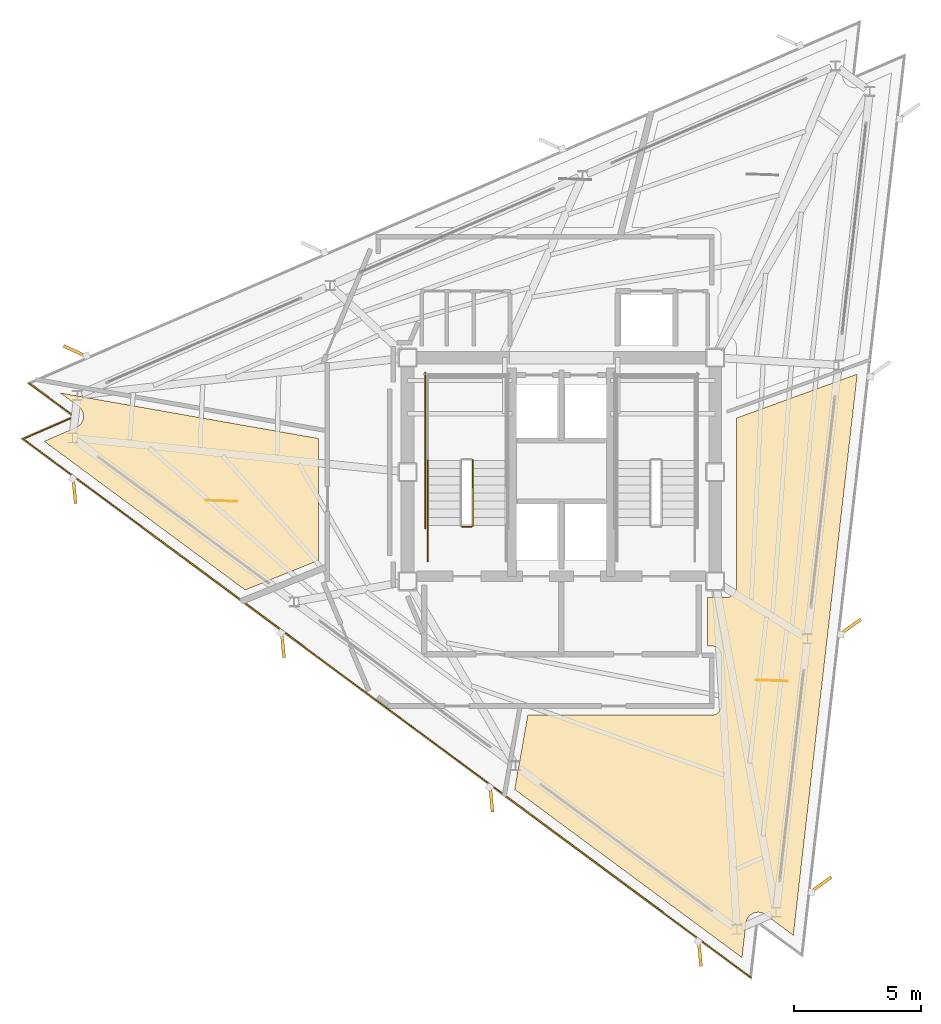
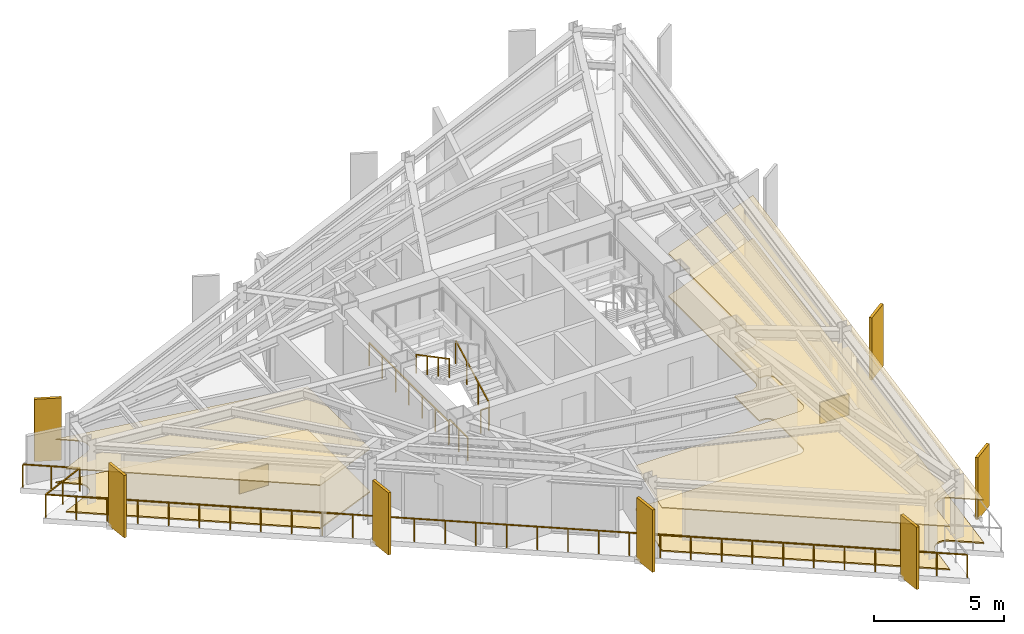
# One storey, part 8 of 10: 7 shading devices, 6 coverings, 6 railings.
"""IFC4 building model written with IfcOpenShell, lengths in metres."""

from ifc_helpers import new_model, si_unit, direction, frame, origin, origin_2d, place, context, subcontext, project, spatial, polyline, rectangle, outline, extrude, material, layer, layer_set, type_object, element, save


model = new_model("IFC4")

# Units and contexts
model_context = context("Model", 3, precision=1e-05, world=origin(), true_north=direction((0.0, 1.0)))
body_context = subcontext(model_context, "Body", "Model", "MODEL_VIEW")
ifc_project = project(units=[si_unit("LENGTHUNIT", "METRE"), si_unit("AREAUNIT", "SQUARE_METRE"), si_unit("VOLUMEUNIT", "CUBIC_METRE"), si_unit("PLANEANGLEUNIT", "RADIAN"), si_unit("MASSUNIT", "GRAM", prefix="KILO")], contexts=[model_context])

# Site, building, storey
site_placement = place(None, origin())
site = spatial("IfcSite", under=ifc_project, at=site_placement, CompositionType="ELEMENT")
building_placement = place(site_placement, origin())
building = spatial("IfcBuilding", under=site, at=building_placement, Name="Rocaltana Carrier Exchange", CompositionType="ELEMENT")
storey_placement = place(building_placement, frame((0.0, 0.0, 220.9599609375)))
storey = spatial("IfcBuildingStorey", under=building, at=storey_placement, Name="L70", CompositionType="ELEMENT", Elevation=220.9599609375)

# Coverings
ifc_material_1 = material(Name="Calcium Sulphate & Aluminium Pedestal", Category="aluminium")
ifc_layer_1 = layer(ifc_material_1, 0.06005859375)
ifc_layer_set_1 = layer_set([ifc_layer_1], Name="Calcium Sulphate & Aluminium Pedestal")
covering_type_1 = type_object("IfcCoveringType", Name="Anti-Static Raised Exchange Access Floor 60", PredefinedType="FLOORING", material=ifc_layer_set_1)
covering_1_placement = place(storey_placement, origin())
element("IfcCovering", 1, at=covering_1_placement, inside=storey, type_object=covering_type_1, Name="L70 Network Engineering Studio Finish Floor", PredefinedType="FLOORING", context=body_context, shape_type="SweptSolid", body=[
    extrude(outline(polyline([(-19.699951171875, 3.108154296875), (-9.56005859375, 1.320068359375), (-9.56005859375, -3.47412109375), (-12.436767578125, -4.636474609375), (-20.337890625, 1.210205078125), (-19.0830078125, 1.755859375), (-19.0703125, 1.76171875), (-19.052490234375, 1.7705078125), (-19.028076171875, 1.7841796875), (-19.010986328125, 1.794921875), (-18.98828125, 1.810791015625), (-18.972412109375, 1.822998046875), (-18.951416015625, 1.841064453125), (-18.936767578125, 1.85498046875), (-18.91748046875, 1.875), (-18.904541015625, 1.89013671875), (-18.887451171875, 1.912109375), (-18.8759765625, 1.928466796875), (-18.861083984375, 1.9521484375), (-18.851318359375, 1.969482421875), (-18.8388671875, 1.994384765625), (-18.830810546875, 2.0126953125), (-18.82080078125, 2.038818359375), (-18.814697265625, 2.057861328125), (-18.8076171875, 2.084716796875), (-18.80322265625, 2.104248046875), (-18.798828125, 2.1318359375), (-18.79638671875, 2.151611328125), (-18.794677734375, 2.179443359375), (-18.79443359375, 2.199462890625), (-18.79541015625, 2.227294921875), (-18.797119140625, 2.2470703125), (-18.801025390625, 2.27490234375), (-18.8046875, 2.29443359375), (-18.811279296875, 2.321533203125), (-18.81689453125, 2.3408203125), (-18.825927734375, 2.366943359375), (-18.83349609375, 2.385498046875), (-18.84521484375, 2.410888671875), (-18.8544921875, 2.428466796875), (-18.86865234375, 2.452392578125), (-18.879638671875, 2.468994140625), (-18.896240234375, 2.49169921875), (-18.908935546875, 2.507080078125), (-18.927490234375, 2.52783203125), (-18.941650390625, 2.5419921875), (-18.96240234375, 2.560546875), (-18.977783203125, 2.5732421875), (-18.98876953125, 2.581787109375), (-19.699951171875, 3.108154296875)])), origin(), (0.0, 0.0, 1.0), 0.06005859375),
])
covering_2_placement = place(storey_placement, origin())
element("IfcCovering", 2, at=covering_2_placement, inside=storey, type_object=covering_type_1, Name="L70 Peering Conference Room Finish Floor", PredefinedType="FLOORING", context=body_context, shape_type="SweptSolid", body=[
    extrude(outline(polyline([(5.739990234375, -6.840087890625), (5.739990234375, -4.93994140625), (6.449951171875, -4.93994140625), (6.463623046875, -4.939697265625), (6.4794921875, -4.93896484375), (6.5068359375, -4.936279296875), (6.522216796875, -4.933837890625), (6.54931640625, -4.928466796875), (6.564453125, -4.9248046875), (6.5908203125, -4.916748046875), (6.605712890625, -4.91162109375), (6.630859375, -4.90087890625), (6.64501953125, -4.894287109375), (6.66943359375, -4.88134765625), (6.682861328125, -4.873291015625), (6.705810546875, -4.85791015625), (6.71826171875, -4.8486328125), (6.739501953125, -4.8310546875), (6.751220703125, -4.820556640625), (6.7705078125, -4.80126953125), (6.781005859375, -4.78955078125), (6.798583984375, -4.768310546875), (6.807861328125, -4.755615234375), (6.8232421875, -4.73291015625), (6.831298828125, -4.719482421875), (6.84423828125, -4.695068359375), (6.850830078125, -4.680908203125), (6.861572265625, -4.655517578125), (6.86669921875, -4.640869140625), (6.874755859375, -4.614501953125), (6.87841796875, -4.59912109375), (6.8837890625, -4.572265625), (6.88623046875, -4.556884765625), (6.888916015625, -4.529296875), (6.8896484375, -4.513671875), (6.889892578125, -4.5), (6.889892578125, 2.124755859375), (11.635498046875, 3.851806640625), (9.12109375, -18.21826171875), (8.020751953125, -17.404052734375), (8.009521484375, -17.39599609375), (7.992919921875, -17.385009765625), (7.96875, -17.370849609375), (7.951171875, -17.361572265625), (7.92578125, -17.349609375), (7.907470703125, -17.342041015625), (7.881103515625, -17.332763671875), (7.862060546875, -17.3271484375), (7.8349609375, -17.320556640625), (7.815185546875, -17.31689453125), (7.78759765625, -17.31298828125), (7.767822265625, -17.311279296875), (7.739990234375, -17.310302734375), (7.719970703125, -17.310302734375), (7.692138671875, -17.31201171875), (7.67236328125, -17.314208984375), (7.644775390625, -17.31884765625), (7.625244140625, -17.322998046875), (7.59814453125, -17.330078125), (7.579345703125, -17.336181640625), (7.552978515625, -17.34619140625), (7.534912109375, -17.35400390625), (7.509765625, -17.366455078125), (7.492431640625, -17.376220703125), (7.46875, -17.39111328125), (7.452392578125, -17.40234375), (7.430419921875, -17.41943359375), (7.415283203125, -17.4326171875), (7.39501953125, -17.45166015625), (7.381103515625, -17.466064453125), (7.363037109375, -17.4873046875), (7.3505859375, -17.5029296875), (7.334716796875, -17.52587890625), (7.32421875, -17.542724609375), (7.310302734375, -17.56689453125), (7.301513671875, -17.5849609375), (7.290283203125, -17.6103515625), (7.283203125, -17.629150390625), (7.274658203125, -17.655517578125), (7.26953125, -17.6748046875), (7.263671875, -17.7021484375), (7.26025390625, -17.7216796875), (7.25830078125, -17.735595703125), (7.103515625, -19.095458984375), (-1.835205078125, -12.481201171875), (-1.320068359375, -9.56005859375), (5.919921875, -9.56005859375), (5.93359375, -9.559814453125), (5.941650390625, -9.559326171875), (5.968994140625, -9.556640625), (5.976806640625, -9.555419921875), (6.003662109375, -9.550048828125), (6.01123046875, -9.548095703125), (6.03759765625, -9.540283203125), (6.044921875, -9.53759765625), (6.0703125, -9.527099609375), (6.077392578125, -9.523681640625), (6.101806640625, -9.5107421875), (6.1083984375, -9.506591796875), (6.131103515625, -9.491455078125), (6.137451171875, -9.48681640625), (6.15869140625, -9.46923828125), (6.16455078125, -9.464111328125), (6.18408203125, -9.444580078125), (6.189208984375, -9.438720703125), (6.206787109375, -9.41748046875), (6.21142578125, -9.4111328125), (6.226806640625, -9.388427734375), (6.230712890625, -9.381591796875), (6.24365234375, -9.357421875), (6.2470703125, -9.350341796875), (6.257568359375, -9.324951171875), (6.26025390625, -9.317626953125), (6.268310546875, -9.291259765625), (6.27001953125, -9.28369140625), (6.275390625, -9.256591796875), (6.276611328125, -9.248779296875), (6.279296875, -9.2216796875), (6.27978515625, -9.213623046875), (6.280029296875, -9.199951171875), (6.280029296875, -7.199951171875), (6.27978515625, -7.186279296875), (6.279296875, -7.178466796875), (6.276611328125, -7.151123046875), (6.275390625, -7.143310546875), (6.27001953125, -7.116455078125), (6.268310546875, -7.108642578125), (6.26025390625, -7.08251953125), (6.257568359375, -7.0751953125), (6.2470703125, -7.0498046875), (6.24365234375, -7.04248046875), (6.230712890625, -7.018310546875), (6.226806640625, -7.01171875), (6.21142578125, -6.98876953125), (6.206787109375, -6.982421875), (6.189208984375, -6.961181640625), (6.18408203125, -6.955322265625), (6.16455078125, -6.93603515625), (6.15869140625, -6.9306640625), (6.137451171875, -6.913330078125), (6.131103515625, -6.90869140625), (6.1083984375, -6.893310546875), (6.101806640625, -6.889404296875), (6.077392578125, -6.876220703125), (6.0703125, -6.873046875), (6.044921875, -6.862548828125), (6.03759765625, -6.85986328125), (6.01123046875, -6.851806640625), (6.003662109375, -6.849853515625), (5.976806640625, -6.844482421875), (5.968994140625, -6.843505859375), (5.941650390625, -6.8408203125), (5.93359375, -6.84033203125), (5.919921875, -6.840087890625), (5.739990234375, -6.840087890625)])), origin(), (0.0, 0.0, 1.0), 0.06005859375),
])
ifc_material_2 = material(Name="Mineral Fibre & Powder-Coated Aluminium", Category="aluminium")
ifc_layer_2 = layer(ifc_material_2, 0.044921875)
ifc_layer_set_2 = layer_set([ifc_layer_2], Name="Mineral Fibre & Powder-Coated Aluminium")
covering_type_2 = type_object("IfcCoveringType", Name="Micro-Perforated Acoustic Ceiling 45", PredefinedType="CEILING", material=ifc_layer_set_2)
covering_3_placement = place(storey_placement, frame((0.0, 0.0, 2.02294921875)))
element("IfcCovering", 3, at=covering_3_placement, inside=storey, type_object=covering_type_2, Name="L70 Network Engineering Studio Acoustic Ceiling", PredefinedType="CEILING", context=body_context, shape_type="SweptSolid", body=[
    extrude(outline(polyline([(-19.699951171875, 3.108154296875), (-9.56005859375, 1.320068359375), (-9.56005859375, -3.47412109375), (-12.436767578125, -4.636474609375), (-20.337890625, 1.210205078125), (-19.0830078125, 1.755859375), (-19.0703125, 1.76171875), (-19.052490234375, 1.7705078125), (-19.028076171875, 1.7841796875), (-19.010986328125, 1.794921875), (-18.98828125, 1.810791015625), (-18.972412109375, 1.822998046875), (-18.951416015625, 1.841064453125), (-18.936767578125, 1.85498046875), (-18.91748046875, 1.875), (-18.904541015625, 1.89013671875), (-18.887451171875, 1.912109375), (-18.8759765625, 1.928466796875), (-18.861083984375, 1.9521484375), (-18.851318359375, 1.969482421875), (-18.8388671875, 1.994384765625), (-18.830810546875, 2.0126953125), (-18.82080078125, 2.038818359375), (-18.814697265625, 2.057861328125), (-18.8076171875, 2.084716796875), (-18.80322265625, 2.104248046875), (-18.798828125, 2.1318359375), (-18.79638671875, 2.151611328125), (-18.794677734375, 2.179443359375), (-18.79443359375, 2.199462890625), (-18.79541015625, 2.227294921875), (-18.797119140625, 2.2470703125), (-18.801025390625, 2.27490234375), (-18.8046875, 2.29443359375), (-18.811279296875, 2.321533203125), (-18.81689453125, 2.3408203125), (-18.825927734375, 2.366943359375), (-18.83349609375, 2.385498046875), (-18.84521484375, 2.410888671875), (-18.8544921875, 2.428466796875), (-18.86865234375, 2.452392578125), (-18.879638671875, 2.468994140625), (-18.896240234375, 2.49169921875), (-18.908935546875, 2.507080078125), (-18.927490234375, 2.52783203125), (-18.941650390625, 2.5419921875), (-18.96240234375, 2.560546875), (-18.977783203125, 2.5732421875), (-18.98876953125, 2.581787109375), (-19.699951171875, 3.108154296875)])), origin(), (0.0, 0.0, 1.0), 0.045166015625),
])
covering_4_placement = place(storey_placement, frame((0.0, 0.0, 2.02294921875)))
element("IfcCovering", 4, at=covering_4_placement, inside=storey, type_object=covering_type_2, Name="L70 Peering Conference Room Acoustic Ceiling", PredefinedType="CEILING", context=body_context, shape_type="SweptSolid", body=[
    extrude(outline(polyline([(5.739990234375, -6.840087890625), (5.739990234375, -4.93994140625), (6.449951171875, -4.93994140625), (6.463623046875, -4.939697265625), (6.4794921875, -4.93896484375), (6.5068359375, -4.936279296875), (6.522216796875, -4.933837890625), (6.54931640625, -4.928466796875), (6.564453125, -4.9248046875), (6.5908203125, -4.916748046875), (6.605712890625, -4.91162109375), (6.630859375, -4.90087890625), (6.64501953125, -4.894287109375), (6.66943359375, -4.88134765625), (6.682861328125, -4.873291015625), (6.705810546875, -4.85791015625), (6.71826171875, -4.8486328125), (6.739501953125, -4.8310546875), (6.751220703125, -4.820556640625), (6.7705078125, -4.80126953125), (6.781005859375, -4.78955078125), (6.798583984375, -4.768310546875), (6.807861328125, -4.755615234375), (6.8232421875, -4.73291015625), (6.831298828125, -4.719482421875), (6.84423828125, -4.695068359375), (6.850830078125, -4.680908203125), (6.861572265625, -4.655517578125), (6.86669921875, -4.640869140625), (6.874755859375, -4.614501953125), (6.87841796875, -4.59912109375), (6.8837890625, -4.572265625), (6.88623046875, -4.556884765625), (6.888916015625, -4.529296875), (6.8896484375, -4.513671875), (6.889892578125, -4.5), (6.889892578125, 2.124755859375), (11.635498046875, 3.851806640625), (9.12109375, -18.21826171875), (8.020751953125, -17.404052734375), (8.009521484375, -17.39599609375), (7.992919921875, -17.385009765625), (7.96875, -17.370849609375), (7.951171875, -17.361572265625), (7.92578125, -17.349609375), (7.907470703125, -17.342041015625), (7.881103515625, -17.332763671875), (7.862060546875, -17.3271484375), (7.8349609375, -17.320556640625), (7.815185546875, -17.31689453125), (7.78759765625, -17.31298828125), (7.767822265625, -17.311279296875), (7.739990234375, -17.310302734375), (7.719970703125, -17.310302734375), (7.692138671875, -17.31201171875), (7.67236328125, -17.314208984375), (7.644775390625, -17.31884765625), (7.625244140625, -17.322998046875), (7.59814453125, -17.330078125), (7.579345703125, -17.336181640625), (7.552978515625, -17.34619140625), (7.534912109375, -17.35400390625), (7.509765625, -17.366455078125), (7.492431640625, -17.376220703125), (7.46875, -17.39111328125), (7.452392578125, -17.40234375), (7.430419921875, -17.41943359375), (7.415283203125, -17.4326171875), (7.39501953125, -17.45166015625), (7.381103515625, -17.466064453125), (7.363037109375, -17.4873046875), (7.3505859375, -17.5029296875), (7.334716796875, -17.52587890625), (7.32421875, -17.542724609375), (7.310302734375, -17.56689453125), (7.301513671875, -17.5849609375), (7.290283203125, -17.6103515625), (7.283203125, -17.629150390625), (7.274658203125, -17.655517578125), (7.26953125, -17.6748046875), (7.263671875, -17.7021484375), (7.26025390625, -17.7216796875), (7.25830078125, -17.735595703125), (7.103515625, -19.095458984375), (-1.835205078125, -12.481201171875), (-1.320068359375, -9.56005859375), (5.919921875, -9.56005859375), (5.93359375, -9.559814453125), (5.941650390625, -9.559326171875), (5.968994140625, -9.556640625), (5.976806640625, -9.555419921875), (6.003662109375, -9.550048828125), (6.01123046875, -9.548095703125), (6.03759765625, -9.540283203125), (6.044921875, -9.53759765625), (6.0703125, -9.527099609375), (6.077392578125, -9.523681640625), (6.101806640625, -9.5107421875), (6.1083984375, -9.506591796875), (6.131103515625, -9.491455078125), (6.137451171875, -9.48681640625), (6.15869140625, -9.46923828125), (6.16455078125, -9.464111328125), (6.18408203125, -9.444580078125), (6.189208984375, -9.438720703125), (6.206787109375, -9.41748046875), (6.21142578125, -9.4111328125), (6.226806640625, -9.388427734375), (6.230712890625, -9.381591796875), (6.24365234375, -9.357421875), (6.2470703125, -9.350341796875), (6.257568359375, -9.324951171875), (6.26025390625, -9.317626953125), (6.268310546875, -9.291259765625), (6.27001953125, -9.28369140625), (6.275390625, -9.256591796875), (6.276611328125, -9.248779296875), (6.279296875, -9.2216796875), (6.27978515625, -9.213623046875), (6.280029296875, -9.199951171875), (6.280029296875, -7.199951171875), (6.27978515625, -7.186279296875), (6.279296875, -7.178466796875), (6.276611328125, -7.151123046875), (6.275390625, -7.143310546875), (6.27001953125, -7.116455078125), (6.268310546875, -7.108642578125), (6.26025390625, -7.08251953125), (6.257568359375, -7.0751953125), (6.2470703125, -7.0498046875), (6.24365234375, -7.04248046875), (6.230712890625, -7.018310546875), (6.226806640625, -7.01171875), (6.21142578125, -6.98876953125), (6.206787109375, -6.982421875), (6.189208984375, -6.961181640625), (6.18408203125, -6.955322265625), (6.16455078125, -6.93603515625), (6.15869140625, -6.9306640625), (6.137451171875, -6.913330078125), (6.131103515625, -6.90869140625), (6.1083984375, -6.893310546875), (6.101806640625, -6.889404296875), (6.077392578125, -6.876220703125), (6.0703125, -6.873046875), (6.044921875, -6.862548828125), (6.03759765625, -6.85986328125), (6.01123046875, -6.851806640625), (6.003662109375, -6.849853515625), (5.976806640625, -6.844482421875), (5.968994140625, -6.843505859375), (5.941650390625, -6.8408203125), (5.93359375, -6.84033203125), (5.919921875, -6.840087890625), (5.739990234375, -6.840087890625)])), origin(), (0.0, 0.0, 1.0), 0.045166015625),
])

# Railings
ifc_material_3 = material(Name="Brushed Architectural Stainless Tube", Category="steel")
ifc_layer_3 = layer(ifc_material_3, 0.048095703125)
ifc_layer_set_3 = layer_set([ifc_layer_3], Name="Brushed Architectural Stainless Tube")
railing_type_1 = type_object("IfcRailingType", Name="Stair Wall Handrail 920", PredefinedType="HANDRAIL", material=ifc_layer_set_3)
railing_1_placement = place(storey_placement, frame((-5.25, 0.4599609375, 1.68896484375)))
element("IfcRailing", 5, at=railing_1_placement, inside=storey, type_object=railing_type_1, Name="L70 ST-1 stair handrail 2", PredefinedType="HANDRAIL", context=body_context, shape_type="SweptSolid", body=[
    extrude(rectangle(XDim=0.048095703125, YDim=0.048095703125, at=origin_2d()), frame((0.0, 0.0, 0.8759765625), z_axis=(0.0, -0.884394423565, 0.466740295633), x_axis=(1.0, 0.0, 0.0)), (0.0, 0.0, 1.0), 2.894775390625),
    extrude(rectangle(XDim=0.0419921875, YDim=0.0419921875, at=origin_2d()), origin(), (0.0, 0.0, 1.0), 0.851806640625),
    extrude(rectangle(XDim=0.0419921875, YDim=0.0419921875, at=origin_2d()), frame((0.0, -0.853271484375, 0.450439453125)), (0.0, 0.0, 1.0), 0.851806640625),
    extrude(rectangle(XDim=0.0419921875, YDim=0.0419921875, at=origin_2d()), frame((0.0, -1.706787109375, 0.900634765625)), (0.0, 0.0, 1.0), 0.851806640625),
    extrude(rectangle(XDim=0.0419921875, YDim=0.0419921875, at=origin_2d()), frame((0.0, -2.56005859375, 1.35107421875)), (0.0, 0.0, 1.0), 0.851806640625),
])
ifc_material_4 = material(Name="Powder-Coated Aluminium 6063-T6", Category="aluminium")
ifc_layer_4 = layer(ifc_material_4, 0.048095703125)
ifc_layer_set_4 = layer_set([ifc_layer_4], Name="Powder-Coated Aluminium 6063-T6")
railing_type_2 = type_object("IfcRailingType", Name="Stair Well Guardrail 1100", PredefinedType="GUARDRAIL", material=ifc_layer_set_4)
railing_2_placement = place(storey_placement, frame((-3.489990234375, -2.10009765625, 0.1689453125)))
element("IfcRailing", 6, at=railing_2_placement, inside=storey, type_object=railing_type_2, Name="L70 ST-1 stair guard 1", PredefinedType="GUARDRAIL", context=body_context, shape_type="SweptSolid", body=[
    extrude(rectangle(XDim=0.048095703125, YDim=0.048095703125, at=origin_2d()), frame((0.0, 0.0, 1.076171875), z_axis=(0.0, 0.884394423565, 0.466740295633), x_axis=(-1.0, 0.0, 0.0)), (0.0, 0.0, 1.0), 2.894775390625),
    extrude(rectangle(XDim=0.0419921875, YDim=0.0419921875, at=origin_2d()), origin(), (0.0, 0.0, 1.0), 1.052001953125),
    extrude(rectangle(XDim=0.0419921875, YDim=0.0419921875, at=origin_2d()), frame((0.0, 0.853271484375, 0.450439453125)), (0.0, 0.0, 1.0), 1.052001953125),
    extrude(rectangle(XDim=0.0419921875, YDim=0.0419921875, at=origin_2d()), frame((0.0, 1.706787109375, 0.900634765625)), (0.0, 0.0, 1.0), 1.052001953125),
    extrude(rectangle(XDim=0.0419921875, YDim=0.0419921875, at=origin_2d()), frame((0.0, 2.56005859375, 1.35107421875)), (0.0, 0.0, 1.0), 1.052001953125),
])
railing_3_placement = place(storey_placement, frame((-3.5400390625, -2.14990234375, 0.0)))
element("IfcRailing", 7, at=railing_3_placement, inside=storey, type_object=railing_type_2, Name="L70 ST-1 stair guard 7", PredefinedType="GUARDRAIL", context=body_context, shape_type="SweptSolid", body=[
    extrude(rectangle(XDim=0.048095703125, YDim=0.048095703125, at=origin_2d()), frame((0.0, 0.0, 1.076171875), z_axis=(-1.0, 0.0, 0.0), x_axis=(0.0, -1.0, 0.0)), (0.0, 0.0, 1.0), 0.35986328125),
    extrude(rectangle(XDim=0.0419921875, YDim=0.0419921875, at=origin_2d()), origin(), (0.0, 0.0, 1.0), 1.052001953125),
    extrude(rectangle(XDim=0.0419921875, YDim=0.0419921875, at=origin_2d()), frame((-0.35986328125, 0.0, 0.0)), (0.0, 0.0, 1.0), 1.052001953125),
])
railing_4_placement = place(storey_placement, frame((-5.25, -3.5, 0.0)))
element("IfcRailing", 8, at=railing_4_placement, inside=storey, type_object=railing_type_2, Name="L70 ST-1 stair guard 9", PredefinedType="GUARDRAIL", context=body_context, shape_type="SweptSolid", body=[
    extrude(rectangle(XDim=0.048095703125, YDim=0.048095703125, at=origin_2d()), frame((0.0, 0.0, 1.076171875), z_axis=(0.0, 1.0, 0.0), x_axis=(-1.0, 0.0, 0.0)), (0.0, 0.0, 1.0), 1.39990234375),
    extrude(rectangle(XDim=0.0419921875, YDim=0.0419921875, at=origin_2d()), origin(), (0.0, 0.0, 1.0), 1.052001953125),
    extrude(rectangle(XDim=0.0419921875, YDim=0.0419921875, at=origin_2d()), frame((0.0, 0.699951171875, 0.0)), (0.0, 0.0, 1.0), 1.052001953125),
    extrude(rectangle(XDim=0.0419921875, YDim=0.0419921875, at=origin_2d()), frame((0.0, 1.39990234375, 0.0)), (0.0, 0.0, 1.0), 1.052001953125),
])
railing_5_placement = place(storey_placement, frame((-5.35009765625, -2.199951171875, 0.0)))
element("IfcRailing", 9, at=railing_5_placement, inside=storey, type_object=railing_type_2, Name="L70 ST-1 stair guard 11", PredefinedType="GUARDRAIL", context=body_context, shape_type="SweptSolid", body=[
    extrude(rectangle(XDim=0.048095703125, YDim=0.048095703125, at=origin_2d()), frame((0.0, 0.0, 1.076171875), z_axis=(0.0, 1.0, 0.0), x_axis=(-1.0, 0.0, 0.0)), (0.0, 0.0, 1.0), 6.099853515625),
    extrude(rectangle(XDim=0.0419921875, YDim=0.0419921875, at=origin_2d()), origin(), (0.0, 0.0, 1.0), 1.052001953125),
    extrude(rectangle(XDim=0.0419921875, YDim=0.0419921875, at=origin_2d()), frame((0.0, 1.0166015625, 0.0)), (0.0, 0.0, 1.0), 1.052001953125),
    extrude(rectangle(XDim=0.0419921875, YDim=0.0419921875, at=origin_2d()), frame((0.0, 2.033203125, 0.0)), (0.0, 0.0, 1.0), 1.052001953125),
    extrude(rectangle(XDim=0.0419921875, YDim=0.0419921875, at=origin_2d()), frame((0.0, 3.0498046875, 0.0)), (0.0, 0.0, 1.0), 1.052001953125),
    extrude(rectangle(XDim=0.0419921875, YDim=0.0419921875, at=origin_2d()), frame((0.0, 4.066650390625, 0.0)), (0.0, 0.0, 1.0), 1.052001953125),
    extrude(rectangle(XDim=0.0419921875, YDim=0.0419921875, at=origin_2d()), frame((0.0, 5.083251953125, 0.0)), (0.0, 0.0, 1.0), 1.052001953125),
    extrude(rectangle(XDim=0.0419921875, YDim=0.0419921875, at=origin_2d()), frame((0.0, 6.099853515625, 0.0)), (0.0, 0.0, 1.0), 1.052001953125),
])

# Coverings
ifc_material_5 = material(Name="Honed Piedra Muneca Sandstone", Category="masonry")
ifc_layer_5 = layer(ifc_material_5, 0.034912109375)
ifc_layer_set_5 = layer_set([ifc_layer_5], Name="Honed Piedra Muneca Sandstone")
covering_type_3 = type_object("IfcCoveringType", Name="Stone Facade Cladding 35", PredefinedType="CLADDING", material=ifc_layer_set_5)
for number, where, z_axis, x_axis, name in (
    (10, (-13.366455078125, -1.132080078125, 0.0), (0.0, 0.0, 1.0), (-0.999390827019, 0.034899496703, 0.0), "L70 Stone Facade Cladding Panel 1"),
    (11, (8.271240234375, -8.199951171875, 0.0), (0.0, 0.0, 1.0), (-0.999390827019, 0.034899496703, 0.0), "L70 Stone Facade Cladding Panel 4"),
):
    element("IfcCovering", number, at=place(storey_placement, frame(where, z_axis=z_axis, x_axis=x_axis)), inside=storey, type_object=covering_type_3, Name=name, PredefinedType="CLADDING", context=body_context, shape_type="SweptSolid", body=[
        extrude(rectangle(XDim=1.25, YDim=0.034912109375, at=origin_2d()), origin(), (0.0, 0.0, 1.0), 1.050048828125),
    ])

# Shading devices
ifc_material_6 = material(Name="Honed Bogota Sandstone & Concrete C45/55", Category="masonry")
ifc_layer_6 = layer(ifc_material_6, 0.1201171875)
ifc_layer_set_6 = layer_set([ifc_layer_6], Name="Honed Bogota Sandstone & Concrete C45/55")
shading_device_type = type_object("IfcShadingDeviceType", Name="Upper Sandstone Shading Fin 1050x120", PredefinedType="USERDEFINED", material=ifc_layer_set_6)
for number, where, z_axis, x_axis, name in (
    (12, (10.193115234375, -16.233642578125, -0.119873046875), (0.0, 0.0, 1.0), (0.814115518356, 0.580702955711, 0.0), "L70 Sandstone Vertical Fin F1-01"),
    (13, (11.34765625, -6.099365234375, -0.119873046875), (0.0, 0.0, 1.0), (0.814115518356, 0.580702955711, 0.0), "L70 Sandstone Vertical Fin F1-02"),
    (14, (-19.099609375, 4.742431640625, -0.119873046875), (0.0, 0.0, 1.0), (-0.909961270877, 0.414693242656, 0.0), "L70 Sandstone Vertical Fin F2-04"),
    (15, (-19.1552734375, -0.71044921875, -0.119873046875), (0.0, 0.0, 1.0), (0.09584575252, -0.995396198367, 0.0), "L70 Sandstone Vertical Fin F3-01"),
    (16, (-10.955810546875, -6.777587890625, -0.119873046875), (0.0, 0.0, 1.0), (0.09584575252, -0.995396198367, 0.0), "L70 Sandstone Vertical Fin F3-02"),
    (17, (-2.756591796875, -12.844970703125, -0.119873046875), (0.0, 0.0, 1.0), (0.09584575252, -0.995396198367, 0.0), "L70 Sandstone Vertical Fin F3-03"),
    (18, (5.442626953125, -18.912109375, -0.119873046875), (0.0, 0.0, 1.0), (0.09584575252, -0.995396198367, 0.0), "L70 Sandstone Vertical Fin F3-04"),
):
    element("IfcShadingDevice", number, at=place(storey_placement, frame(where, z_axis=z_axis, x_axis=x_axis)), inside=storey, type_object=shading_device_type, Name=name, ObjectType="FIN", PredefinedType="USERDEFINED", context=body_context, shape_type="SweptSolid", body=[
        extrude(rectangle(XDim=1.050048828125, YDim=0.1201171875, at=origin_2d()), origin(), (0.0, 0.0, 1.0), 2.91796875),
    ])

# Railing
ifc_material_7 = material(Name="Powder-Coated Aluminium 6063-T6", Category="aluminium")
ifc_layer_7 = layer(ifc_material_7, 0.06005859375)
ifc_layer_set_7 = layer_set([ifc_layer_7], Name="Powder-Coated Aluminium 6063-T6")
railing_type_3 = type_object("IfcRailingType", Name="Wind-Floor & Terrace Perimeter Guardrail 1100", PredefinedType="GUARDRAIL", material=ifc_layer_set_7)
railing_6_placement = place(storey_placement, frame((7.4384765625, -19.865966796875, 0.0)))
element("IfcRailing", 19, at=railing_6_placement, inside=storey, type_object=railing_type_3, Name="L70 Perimeter Balcony Guardrail 1", PredefinedType="GUARDRAIL", context=body_context, shape_type="SweptSolid", body=[
    extrude(rectangle(XDim=0.048095703125, YDim=0.048095703125, at=origin_2d()), frame((0.0, 0.0, 1.076171875), z_axis=(-0.803856133623, 0.594823769226, 0.0), x_axis=(-0.594823769226, -0.803856133623, 0.0)), (0.0, 0.0, 1.0), 35.59228515625),
    extrude(rectangle(XDim=0.048095703125, YDim=0.048095703125, at=origin_2d()), frame((-28.611083984375, 21.171142578125, 1.076171875), z_axis=(0.917071820503, 0.398722053614, 0.0), x_axis=(-0.398722053614, 0.917071820503, 0.0)), (0.0, 0.0, 1.0), 2.199951171875),
    extrude(rectangle(XDim=0.048095703125, YDim=0.048095703125, at=origin_2d()), frame((-26.593505859375, 22.04833984375, 1.076171875), z_axis=(-0.803871612758, 0.59480284986, 0.0), x_axis=(-0.59480284986, -0.803871612758, 0.0)), (0.0, 0.0, 1.0), 2.199951171875),
    extrude(rectangle(XDim=0.0419921875, YDim=0.0419921875, at=origin_2d()), origin(), (0.0, 0.0, 1.0), 1.052001953125),
    extrude(rectangle(XDim=0.0419921875, YDim=0.0419921875, at=origin_2d()), frame((-0.95361328125, 0.705810546875, 0.0)), (0.0, 0.0, 1.0), 1.052001953125),
    extrude(rectangle(XDim=0.0419921875, YDim=0.0419921875, at=origin_2d()), frame((-1.907470703125, 1.411376953125, 0.0)), (0.0, 0.0, 1.0), 1.052001953125),
    extrude(rectangle(XDim=0.0419921875, YDim=0.0419921875, at=origin_2d()), frame((-2.861083984375, 2.1171875, 0.0)), (0.0, 0.0, 1.0), 1.052001953125),
    extrude(rectangle(XDim=0.0419921875, YDim=0.0419921875, at=origin_2d()), frame((-3.814697265625, 2.82275390625, 0.0)), (0.0, 0.0, 1.0), 1.052001953125),
    extrude(rectangle(XDim=0.0419921875, YDim=0.0419921875, at=origin_2d()), frame((-4.7685546875, 3.528564453125, 0.0)), (0.0, 0.0, 1.0), 1.052001953125),
    extrude(rectangle(XDim=0.0419921875, YDim=0.0419921875, at=origin_2d()), frame((-5.72216796875, 4.234130859375, 0.0)), (0.0, 0.0, 1.0), 1.052001953125),
    extrude(rectangle(XDim=0.0419921875, YDim=0.0419921875, at=origin_2d()), frame((-6.676025390625, 4.93994140625, 0.0)), (0.0, 0.0, 1.0), 1.052001953125),
    extrude(rectangle(XDim=0.0419921875, YDim=0.0419921875, at=origin_2d()), frame((-7.629638671875, 5.645751953125, 0.0)), (0.0, 0.0, 1.0), 1.052001953125),
    extrude(rectangle(XDim=0.0419921875, YDim=0.0419921875, at=origin_2d()), frame((-8.583251953125, 6.351318359375, 0.0)), (0.0, 0.0, 1.0), 1.052001953125),
    extrude(rectangle(XDim=0.0419921875, YDim=0.0419921875, at=origin_2d()), frame((-9.537109375, 7.05712890625, 0.0)), (0.0, 0.0, 1.0), 1.052001953125),
    extrude(rectangle(XDim=0.0419921875, YDim=0.0419921875, at=origin_2d()), frame((-10.49072265625, 7.7626953125, 0.0)), (0.0, 0.0, 1.0), 1.052001953125),
    extrude(rectangle(XDim=0.0419921875, YDim=0.0419921875, at=origin_2d()), frame((-11.4443359375, 8.468505859375, 0.0)), (0.0, 0.0, 1.0), 1.052001953125),
    extrude(rectangle(XDim=0.0419921875, YDim=0.0419921875, at=origin_2d()), frame((-12.398193359375, 9.174072265625, 0.0)), (0.0, 0.0, 1.0), 1.052001953125),
    extrude(rectangle(XDim=0.0419921875, YDim=0.0419921875, at=origin_2d()), frame((-13.351806640625, 9.8798828125, 0.0)), (0.0, 0.0, 1.0), 1.052001953125),
    extrude(rectangle(XDim=0.0419921875, YDim=0.0419921875, at=origin_2d()), frame((-14.3056640625, 10.58544921875, 0.0)), (0.0, 0.0, 1.0), 1.052001953125),
    extrude(rectangle(XDim=0.0419921875, YDim=0.0419921875, at=origin_2d()), frame((-15.25927734375, 11.291259765625, 0.0)), (0.0, 0.0, 1.0), 1.052001953125),
    extrude(rectangle(XDim=0.0419921875, YDim=0.0419921875, at=origin_2d()), frame((-16.212890625, 11.9970703125, 0.0)), (0.0, 0.0, 1.0), 1.052001953125),
    extrude(rectangle(XDim=0.0419921875, YDim=0.0419921875, at=origin_2d()), frame((-17.166748046875, 12.70263671875, 0.0)), (0.0, 0.0, 1.0), 1.052001953125),
    extrude(rectangle(XDim=0.0419921875, YDim=0.0419921875, at=origin_2d()), frame((-18.120361328125, 13.408447265625, 0.0)), (0.0, 0.0, 1.0), 1.052001953125),
    extrude(rectangle(XDim=0.0419921875, YDim=0.0419921875, at=origin_2d()), frame((-19.073974609375, 14.114013671875, 0.0)), (0.0, 0.0, 1.0), 1.052001953125),
    extrude(rectangle(XDim=0.0419921875, YDim=0.0419921875, at=origin_2d()), frame((-20.02783203125, 14.81982421875, 0.0)), (0.0, 0.0, 1.0), 1.052001953125),
    extrude(rectangle(XDim=0.0419921875, YDim=0.0419921875, at=origin_2d()), frame((-20.9814453125, 15.525390625, 0.0)), (0.0, 0.0, 1.0), 1.052001953125),
    extrude(rectangle(XDim=0.0419921875, YDim=0.0419921875, at=origin_2d()), frame((-21.93505859375, 16.231201171875, 0.0)), (0.0, 0.0, 1.0), 1.052001953125),
    extrude(rectangle(XDim=0.0419921875, YDim=0.0419921875, at=origin_2d()), frame((-22.888916015625, 16.93701171875, 0.0)), (0.0, 0.0, 1.0), 1.052001953125),
    extrude(rectangle(XDim=0.0419921875, YDim=0.0419921875, at=origin_2d()), frame((-23.842529296875, 17.642578125, 0.0)), (0.0, 0.0, 1.0), 1.052001953125),
    extrude(rectangle(XDim=0.0419921875, YDim=0.0419921875, at=origin_2d()), frame((-24.79638671875, 18.348388671875, 0.0)), (0.0, 0.0, 1.0), 1.052001953125),
    extrude(rectangle(XDim=0.0419921875, YDim=0.0419921875, at=origin_2d()), frame((-25.75, 19.053955078125, 0.0)), (0.0, 0.0, 1.0), 1.052001953125),
    extrude(rectangle(XDim=0.0419921875, YDim=0.0419921875, at=origin_2d()), frame((-26.70361328125, 19.759765625, 0.0)), (0.0, 0.0, 1.0), 1.052001953125),
    extrude(rectangle(XDim=0.0419921875, YDim=0.0419921875, at=origin_2d()), frame((-27.657470703125, 20.46533203125, 0.0)), (0.0, 0.0, 1.0), 1.052001953125),
    extrude(rectangle(XDim=0.0419921875, YDim=0.0419921875, at=origin_2d()), frame((-28.611083984375, 21.171142578125, 0.0)), (0.0, 0.0, 1.0), 1.052001953125),
    extrude(rectangle(XDim=0.0419921875, YDim=0.0419921875, at=origin_2d()), frame((-27.602294921875, 21.60986328125, 0.0)), (0.0, 0.0, 1.0), 1.052001953125),
    extrude(rectangle(XDim=0.0419921875, YDim=0.0419921875, at=origin_2d()), frame((-26.593505859375, 22.04833984375, 0.0)), (0.0, 0.0, 1.0), 1.052001953125),
    extrude(rectangle(XDim=0.0419921875, YDim=0.0419921875, at=origin_2d()), frame((-27.477783203125, 22.70263671875, 0.0)), (0.0, 0.0, 1.0), 1.052001953125),
    extrude(rectangle(XDim=0.0419921875, YDim=0.0419921875, at=origin_2d()), frame((-28.362060546875, 23.35693359375, 0.0)), (0.0, 0.0, 1.0), 1.052001953125),
])

save(model, "model.ifc")
